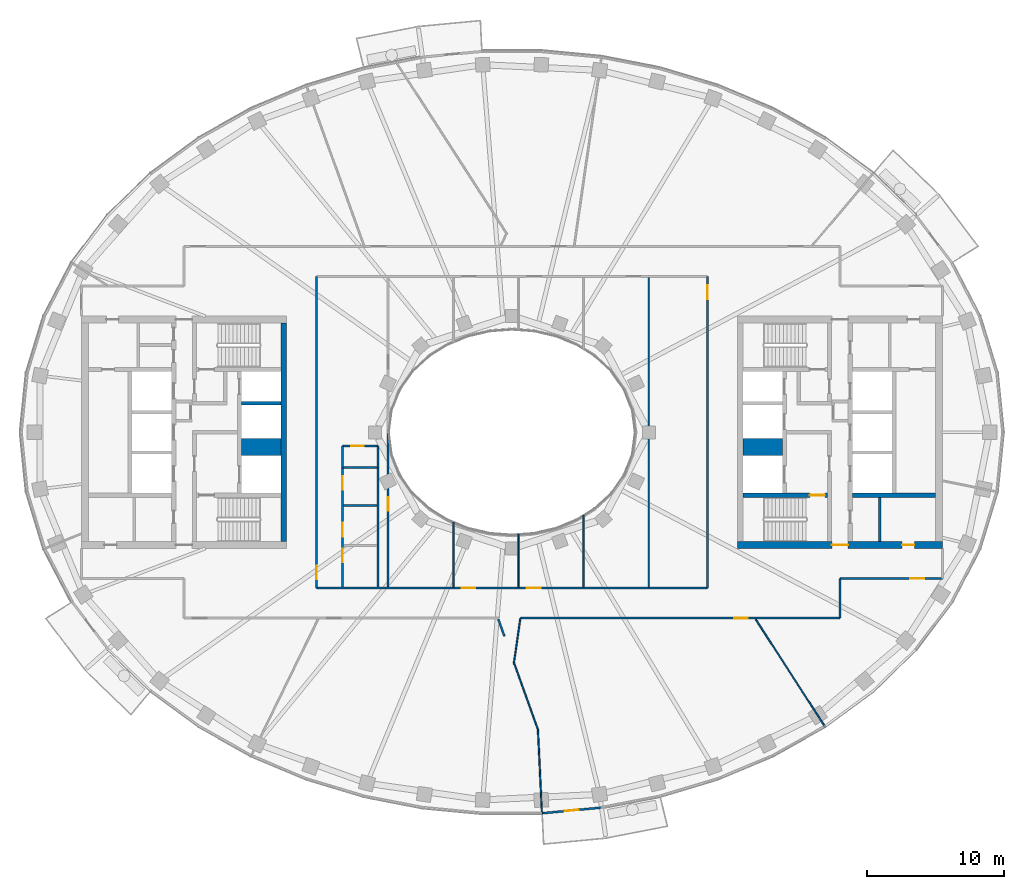
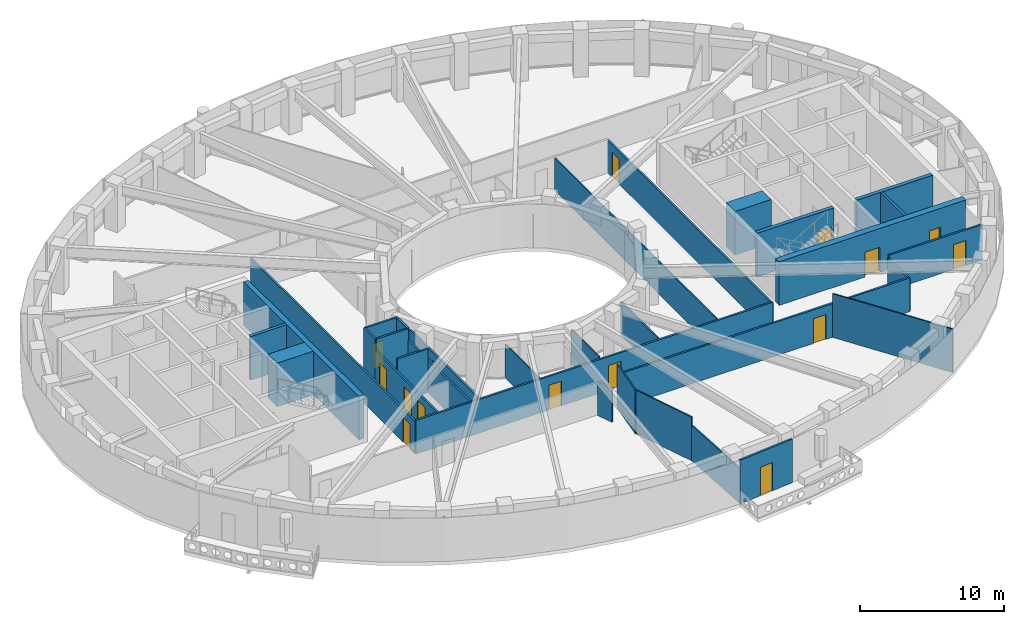
# One storey, part 4 of 16: 32 walls, 15 doors, 15 openings.
"""IFC4 building model written with IfcOpenShell, lengths in metres."""

from ifc_helpers import new_model, si_unit, direction, frame, frame_2d, origin, place, context, subcontext, project, spatial, rectangle, extrude, material, layer, layer_set, type_object, element, fill, save


model = new_model("IFC4")

# Units and contexts
model_context = context("Model", 3, precision=1e-05, world=origin(), true_north=direction((0.0, 1.0)))
body_context = subcontext(model_context, "Body", "Model", "MODEL_VIEW")
ifc_project = project(units=[si_unit("LENGTHUNIT", "METRE"), si_unit("AREAUNIT", "SQUARE_METRE"), si_unit("VOLUMEUNIT", "CUBIC_METRE"), si_unit("PLANEANGLEUNIT", "RADIAN"), si_unit("MASSUNIT", "GRAM", prefix="KILO")], contexts=[model_context])

# Site, building, storey
site_placement = place(None, origin())
site = spatial("IfcSite", under=ifc_project, at=site_placement, CompositionType="ELEMENT")
building_placement = place(site_placement, origin())
building = spatial("IfcBuilding", under=site, at=building_placement, Name="Noorbagh Ring Tower", CompositionType="ELEMENT")
storey_placement = place(building_placement, frame((0.0, 0.0, 281.5)))
storey = spatial("IfcBuildingStorey", under=building, at=storey_placement, Name="L60", CompositionType="ELEMENT", Elevation=281.5)

# Walls
ifc_material_1 = material(Name="Gypsum board on steel studs", Category="steel")
ifc_layer_1 = layer(ifc_material_1, 0.14990234375)
ifc_layer_set_1 = layer_set([ifc_layer_1], Name="Gypsum board on steel studs")
wall_type_1 = type_object("IfcWallType", Name="COMPARTMENT PARTITION 150 EI 60", PredefinedType="PARTITIONING", material=ifc_layer_set_1)
wall_1_placement = place(storey_placement, frame((-12.39990234375, -2.56005859375, 0.0), z_axis=(0.0, 0.0, 1.0), x_axis=(0.0, 1.0, 0.0)))
element("IfcWall", 1, at=wall_1_placement, inside=storey, type_object=wall_type_1, Name="L60/wall/P19", PredefinedType="PARTITIONING", context=body_context, shape_type="SweptSolid", body=[
    extrude(rectangle(XDim=1.56005859375, YDim=0.14990234375, at=frame_2d((0.780029296875, 0.0))), origin(), (0.0, 0.0, 1.0), 3.699951171875),
])
wall_2_placement = place(storey_placement, frame((-12.39990234375, -2.56005859375, 0.0), z_axis=(0.0, 0.0, 1.0), x_axis=(1.0, 0.0, 0.0)))
element("IfcWall", 2, at=wall_2_placement, inside=storey, type_object=wall_type_1, Name="L60/wall/P20", PredefinedType="PARTITIONING", context=body_context, shape_type="SweptSolid", body=[
    extrude(rectangle(XDim=2.599853515625, YDim=0.14990234375, at=frame_2d((1.2998046875, 0.0))), origin(), (0.0, 0.0, 1.0), 3.699951171875),
])

# Wall, opening, door
wall_3_placement = place(storey_placement, frame((-12.39990234375, -1.0, 0.0), z_axis=(0.0, 0.0, 1.0), x_axis=(1.0, 0.0, 0.0)))
wall_3 = element("IfcWall", 3, at=wall_3_placement, inside=storey, type_object=wall_type_1, Name="L60/wall/P21", PredefinedType="PARTITIONING", context=body_context, shape_type="SweptSolid", body=[
    extrude(rectangle(XDim=2.595947265625, YDim=0.14990234375, at=frame_2d((1.2978515625, 0.0))), origin(), (0.0, 0.0, 1.0), 3.699951171875),
])
opening_1_placement = place(wall_3_placement, frame((0.64990234375, 0.0, 0.0)))
opening_1 = element("IfcOpeningElement", 4, at=opening_1_placement, cuts=wall_3, Name="Opening D4", PredefinedType="OPENING", context=body_context, shape_type="SweptSolid", body=[
    extrude(rectangle(XDim=0.89990234375, YDim=2.10009765625, at=frame_2d((0.449951171875, 1.050048828125))), frame((0.0, 0.0849609375, 0.0), z_axis=(0.0, -1.0, 0.0), x_axis=(1.0, 0.0, 0.0)), (0.0, 0.0, 1.0), 0.169921875),
])
ifc_material_2 = material(Name="Timber, painted", Category="wood")
door_type_1 = type_object("IfcDoorType", Name="DOOR 900 X 2100 FD60", OperationType="SINGLE_SWING_LEFT", PredefinedType="DOOR", material=ifc_material_2)
door_1_placement = place(opening_1_placement, origin())
door_1 = element("IfcDoor", 5, at=door_1_placement, inside=storey, type_object=door_type_1, Name="L60-D05", OperationType="SINGLE_SWING_LEFT", OverallHeight=2.10009765625, OverallWidth=0.89990234375, PredefinedType="DOOR", context=body_context, shape_type="SweptSolid", body=[
    extrude(rectangle(XDim=0.89990234375, YDim=2.10009765625, at=frame_2d((0.449951171875, 1.050048828125))), frame((0.0, 0.02490234375, 0.0), z_axis=(0.0, -1.0, 0.0), x_axis=(1.0, 0.0, 0.0)), (0.0, 0.0, 1.0), 0.050048828125),
])
fill(opening_1, door_1)

# Walls
wall_4_placement = place(storey_placement, frame((-9.800048828125, -2.56005859375, 0.0), z_axis=(0.0, 0.0, 1.0), x_axis=(0.0, 1.0, 0.0)))
element("IfcWall", 6, at=wall_4_placement, inside=storey, type_object=wall_type_1, Name="L60/wall/P24", PredefinedType="PARTITIONING", context=body_context, shape_type="SweptSolid", body=[
    extrude(rectangle(XDim=1.55615234375, YDim=0.14990234375, at=frame_2d((0.778076171875, 0.0))), origin(), (0.0, 0.0, 1.0), 3.699951171875),
])
ifc_material_3 = material(Name="Gypsum board on steel studs", Category="steel")
ifc_layer_2 = layer(ifc_material_3, 0.199951171875)
ifc_layer_set_2 = layer_set([ifc_layer_2], Name="Gypsum board on steel studs")
wall_type_2 = type_object("IfcWallType", Name="CORE-PARTITION-200", PredefinedType="PARTITIONING", material=ifc_layer_set_2)
wall_5_placement = place(storey_placement, frame((26.89990234375, -8.0, 0.0), z_axis=(0.0, 0.0, 1.0), x_axis=(0.0, 1.0, 0.0)))
element("IfcWall", 7, at=wall_5_placement, inside=storey, type_object=wall_type_2, Name="Core partition E", PredefinedType="PARTITIONING", context=body_context, shape_type="SweptSolid", body=[
    extrude(rectangle(XDim=3.25, YDim=0.199951171875, at=frame_2d((1.625, 0.0))), origin(), (0.0, 0.0, 1.0), 3.699951171875),
])
ifc_material_4 = material(Name="Concrete C60/75", Category="concrete")
ifc_layer_3 = layer(ifc_material_4, 1.25)
ifc_layer_set_3 = layer_set([ifc_layer_3], Name="Concrete C60/75")
wall_type_3 = type_object("IfcWallType", Name="CORE-WALL-1250-C60-75-EI120", PredefinedType="SHEAR", material=ifc_layer_set_3)
for number, where, z_axis, x_axis, name in (
    (8, (-16.89990234375, -1.074951171875, 0.0), (0.0, 0.0, 1.0), (-1.0, 0.0, 0.0), "Core wall W"),
    (9, (16.89990234375, -1.074951171875, 0.0), (0.0, 0.0, 1.0), (1.0, 0.0, 0.0), "Core wall E"),
):
    element("IfcWall", number, at=place(storey_placement, frame(where, z_axis=z_axis, x_axis=x_axis)), inside=storey, type_object=wall_type_3, Name=name, PredefinedType="SHEAR", context=body_context, shape_type="SweptSolid", body=[
        extrude(rectangle(XDim=2.900146484375, YDim=1.25, at=frame_2d((1.4501953125, 0.0))), origin(), (0.0, 0.0, 1.0), 3.699951171875),
    ])
ifc_material_5 = material(Name="Concrete C60/75", Category="concrete")
ifc_layer_4 = layer(ifc_material_5, 0.25)
ifc_layer_set_4 = layer_set([ifc_layer_4], Name="Concrete C60/75")
wall_type_4 = type_object("IfcWallType", Name="CORE-WALL-250-C60-75-EI120", PredefinedType="SHEAR", material=ifc_layer_set_4)
wall_6_placement = place(storey_placement, frame((-16.89990234375, 2.125, 0.0), z_axis=(0.0, 0.0, 1.0), x_axis=(-1.0, 0.0, 0.0)))
element("IfcWall", 10, at=wall_6_placement, inside=storey, type_object=wall_type_4, Name="Core wall W", PredefinedType="SHEAR", context=body_context, shape_type="SweptSolid", body=[
    extrude(rectangle(XDim=2.900146484375, YDim=0.25, at=frame_2d((1.4501953125, 0.0))), origin(), (0.0, 0.0, 1.0), 3.699951171875),
])
ifc_material_6 = material(Name="Concrete C60/75", Category="concrete")
ifc_layer_5 = layer(ifc_material_6, 0.300048828125)
ifc_layer_set_5 = layer_set([ifc_layer_5], Name="Concrete C60/75")
wall_type_5 = type_object("IfcWallType", Name="CORE-WALL-300-C60-75-EI240", PredefinedType="SHEAR", material=ifc_layer_set_5)
wall_7_placement = place(storey_placement, frame((24.89990234375, -4.60009765625, 0.0), z_axis=(0.0, 0.0, 1.0), x_axis=(1.0, 0.0, 0.0)))
element("IfcWall", 11, at=wall_7_placement, inside=storey, type_object=wall_type_5, Name="Core wall E", PredefinedType="SHEAR", context=body_context, shape_type="SweptSolid", body=[
    extrude(rectangle(XDim=6.10009765625, YDim=0.300048828125, at=frame_2d((3.050048828125, 0.0))), origin(), (0.0, 0.0, 1.0), 3.699951171875),
])

# Wall, opening, door
wall_8_placement = place(storey_placement, frame((16.89990234375, -4.60009765625, 0.0), z_axis=(0.0, 0.0, 1.0), x_axis=(1.0, 0.0, 0.0)))
wall_8 = element("IfcWall", 12, at=wall_8_placement, inside=storey, type_object=wall_type_5, Name="Core wall E", PredefinedType="SHEAR", context=body_context, shape_type="SweptSolid", body=[
    extrude(rectangle(XDim=6.18017578125, YDim=0.300048828125, at=frame_2d((3.090087890625, 0.0))), origin(), (0.0, 0.0, 1.0), 3.699951171875),
])
opening_2_placement = place(wall_8_placement, frame((4.89990234375, 0.0, 0.0)))
opening_2 = element("IfcOpeningElement", 13, at=opening_2_placement, cuts=wall_8, Name="Opening L60-CE08", PredefinedType="OPENING", context=body_context, shape_type="SweptSolid", body=[
    extrude(rectangle(XDim=1.10009765625, YDim=2.10009765625, at=frame_2d((0.550048828125, 1.050048828125))), frame((0.0, 0.16015625, 0.0), z_axis=(0.0, -1.0, 0.0), x_axis=(1.0, 0.0, 0.0)), (0.0, 0.0, 1.0), 0.320068359375),
])
ifc_material_7 = material(Name="Steel door leaf", Category="steel")
door_type_2 = type_object("IfcDoorType", Name="CORE-DOOR-DSTAIR", OperationType="SINGLE_SWING_LEFT", PredefinedType="DOOR", material=ifc_material_7)
door_2_placement = place(opening_2_placement, origin())
door_2 = element("IfcDoor", 14, at=door_2_placement, inside=storey, type_object=door_type_2, Name="Stair door ST4 L60-CE08", OperationType="SINGLE_SWING_RIGHT", OverallHeight=2.10009765625, OverallWidth=1.10009765625, PredefinedType="DOOR", context=body_context, shape_type="SweptSolid", body=[
    extrude(rectangle(XDim=1.10009765625, YDim=2.10009765625, at=frame_2d((0.550048828125, 1.050048828125))), frame((0.0, 0.02490234375, 0.0), z_axis=(0.0, -1.0, 0.0), x_axis=(1.0, 0.0, 0.0)), (0.0, 0.0, 1.0), 0.050048828125),
])
fill(opening_2, door_2)

# Wall
ifc_material_8 = material(Name="Concrete C60/75", Category="concrete")
ifc_layer_6 = layer(ifc_material_8, 0.39990234375)
ifc_layer_set_6 = layer_set([ifc_layer_6], Name="Concrete C60/75")
wall_type_6 = type_object("IfcWallType", Name="CORE-WALL-400-C60-75-EI240", PredefinedType="SHEAR", material=ifc_layer_set_6)
wall_9_placement = place(storey_placement, frame((-16.699951171875, -8.0, 0.0), z_axis=(0.0, 0.0, 1.0), x_axis=(0.0, 1.0, 0.0)))
element("IfcWall", 15, at=wall_9_placement, inside=storey, type_object=wall_type_6, Name="Core wall W", PredefinedType="SHEAR", context=body_context, shape_type="SweptSolid", body=[
    extrude(rectangle(XDim=16.0, YDim=0.39990234375, at=frame_2d((8.0, 0.0))), origin(), (0.0, 0.0, 1.0), 3.699951171875),
])

# Wall, openings, doors
ifc_material_9 = material(Name="Concrete C60/75", Category="concrete")
ifc_layer_7 = layer(ifc_material_9, 0.5)
ifc_layer_set_7 = layer_set([ifc_layer_7], Name="Concrete C60/75")
wall_type_7 = type_object("IfcWallType", Name="CORE-WALL-500-C60-75-EI240", PredefinedType="SHEAR", material=ifc_layer_set_7)
wall_10_placement = place(storey_placement, frame((16.5, -8.25, 0.0), z_axis=(0.0, 0.0, 1.0), x_axis=(1.0, 0.0, 0.0)))
wall_10 = element("IfcWall", 16, at=wall_10_placement, inside=storey, type_object=wall_type_7, Name="Core wall E", PredefinedType="SHEAR", context=body_context, shape_type="SweptSolid", body=[
    extrude(rectangle(XDim=15.0, YDim=0.5, at=frame_2d((7.5, 0.0))), origin(), (0.0, 0.0, 1.0), 3.699951171875),
])
opening_3_placement = place(wall_10_placement, frame((6.89990234375, 0.0, 0.0)))
opening_3 = element("IfcOpeningElement", 17, at=opening_3_placement, cuts=wall_10, Name="Opening L60-CE12", PredefinedType="OPENING", context=body_context, shape_type="SweptSolid", body=[
    extrude(rectangle(XDim=1.199951171875, YDim=2.10009765625, at=frame_2d((0.60009765625, 1.050048828125))), frame((0.0, 0.260009765625, 0.0), z_axis=(0.0, -1.0, 0.0), x_axis=(1.0, 0.0, 0.0)), (0.0, 0.0, 1.0), 0.52001953125),
])
opening_4_placement = place(wall_10_placement, frame((12.050048828125, 0.0, 0.0)))
opening_4 = element("IfcOpeningElement", 18, at=opening_4_placement, cuts=wall_10, Name="Opening L60-CE16", PredefinedType="OPENING", context=body_context, shape_type="SweptSolid", body=[
    extrude(rectangle(XDim=0.89990234375, YDim=2.10009765625, at=frame_2d((0.449951171875, 1.050048828125))), frame((0.0, 0.260009765625, 0.0), z_axis=(0.0, -1.0, 0.0), x_axis=(1.0, 0.0, 0.0)), (0.0, 0.0, 1.0), 0.52001953125),
])
ifc_material_10 = material(Name="Steel door leaf", Category="steel")
door_type_3 = type_object("IfcDoorType", Name="CORE-DOOR-DROOM", OperationType="SINGLE_SWING_LEFT", PredefinedType="DOOR", material=ifc_material_10)
door_3_placement = place(opening_4_placement, origin())
door_3 = element("IfcDoor", 19, at=door_3_placement, inside=storey, type_object=door_type_3, Name="Core room door L60-CE16", OperationType="SINGLE_SWING_RIGHT", OverallHeight=2.10009765625, OverallWidth=0.89990234375, PredefinedType="DOOR", context=body_context, shape_type="SweptSolid", body=[
    extrude(rectangle(XDim=0.89990234375, YDim=2.10009765625, at=frame_2d((0.449951171875, 1.050048828125))), frame((0.0, 0.02490234375, 0.0), z_axis=(0.0, -1.0, 0.0), x_axis=(1.0, 0.0, 0.0)), (0.0, 0.0, 1.0), 0.050048828125),
])
fill(opening_4, door_3)
ifc_material_11 = material(Name="Steel door leaf", Category="steel")
door_type_4 = type_object("IfcDoorType", Name="CORE-DOOR-PORT", OperationType="DOUBLE_DOOR_DOUBLE_SWING", PredefinedType="DOOR", material=ifc_material_11)
door_4_placement = place(opening_3_placement, origin())
door_4 = element("IfcDoor", 20, at=door_4_placement, inside=storey, type_object=door_type_4, Name="Core entrance door L60-CE12", OperationType="DOUBLE_DOOR_DOUBLE_SWING", OverallHeight=2.10009765625, OverallWidth=1.199951171875, PredefinedType="DOOR", context=body_context, shape_type="SweptSolid", body=[
    extrude(rectangle(XDim=1.199951171875, YDim=2.10009765625, at=frame_2d((0.60009765625, 1.050048828125))), frame((0.0, 0.02490234375, 0.0), z_axis=(0.0, -1.0, 0.0), x_axis=(1.0, 0.0, 0.0)), (0.0, 0.0, 1.0), 0.050048828125),
])
fill(opening_3, door_4)

# Wall, opening, door
ifc_material_12 = material(Name="Gypsum board on steel studs", Category="steel")
ifc_layer_8 = layer(ifc_material_12, 0.14990234375)
ifc_layer_set_8 = layer_set([ifc_layer_8], Name="Gypsum board on steel studs")
wall_type_8 = type_object("IfcWallType", Name="CORRIDOR PARTITION 150 EI 30", PredefinedType="PARTITIONING", material=ifc_layer_set_8)
wall_11_placement = place(storey_placement, frame((-14.300048828125, -11.39990234375, 0.0), z_axis=(0.0, 0.0, 1.0), x_axis=(0.0, 1.0, 0.0)))
wall_11 = element("IfcWall", 21, at=wall_11_placement, inside=storey, type_object=wall_type_8, Name="L60/wall/P13", PredefinedType="PARTITIONING", context=body_context, shape_type="SweptSolid", body=[
    extrude(rectangle(XDim=22.7998046875, YDim=0.14990234375, at=frame_2d((11.39990234375, 0.0))), origin(), (0.0, 0.0, 1.0), 2.75),
])
opening_5_placement = place(wall_11_placement, frame((0.64990234375, 0.0, 0.0)))
opening_5 = element("IfcOpeningElement", 22, at=opening_5_placement, cuts=wall_11, Name="Opening D1", PredefinedType="OPENING", context=body_context, shape_type="SweptSolid", body=[
    extrude(rectangle(XDim=1.0, YDim=2.10009765625, at=frame_2d((0.5, 1.050048828125))), frame((0.0, 0.0849609375, 0.0), z_axis=(0.0, -1.0, 0.0), x_axis=(1.0, 0.0, 0.0)), (0.0, 0.0, 1.0), 0.169921875),
])
ifc_material_13 = material(Name="Timber, painted", Category="wood")
door_type_5 = type_object("IfcDoorType", Name="DOOR 1000 X 2100 FD30", OperationType="SINGLE_SWING_LEFT", PredefinedType="DOOR", material=ifc_material_13)
door_5_placement = place(opening_5_placement, origin())
door_5 = element("IfcDoor", 23, at=door_5_placement, inside=storey, type_object=door_type_5, Name="L60-D01", OperationType="SINGLE_SWING_LEFT", OverallHeight=2.10009765625, OverallWidth=1.0, PredefinedType="DOOR", context=body_context, shape_type="SweptSolid", body=[
    extrude(rectangle(XDim=1.0, YDim=2.10009765625, at=frame_2d((0.5, 1.050048828125))), frame((0.0, 0.02490234375, 0.0), z_axis=(0.0, -1.0, 0.0), x_axis=(1.0, 0.0, 0.0)), (0.0, 0.0, 1.0), 0.050048828125),
])
fill(opening_5, door_5)

# Wall, openings, doors
wall_12_placement = place(storey_placement, frame((-14.300048828125, -11.39990234375, 0.0), z_axis=(0.0, 0.0, 1.0), x_axis=(1.0, 0.0, 0.0)))
wall_12 = element("IfcWall", 24, at=wall_12_placement, inside=storey, type_object=wall_type_8, Name="L60/wall/P14", PredefinedType="PARTITIONING", context=body_context, shape_type="SweptSolid", body=[
    extrude(rectangle(XDim=28.60009765625, YDim=0.14990234375, at=frame_2d((14.300048828125, 0.0))), origin(), (0.0, 0.0, 1.0), 2.85009765625),
])
opening_6_placement = place(wall_12_placement, frame((10.626953125, 0.0, 0.0)))
opening_6 = element("IfcOpeningElement", 25, at=opening_6_placement, cuts=wall_12, Name="Opening D1", PredefinedType="OPENING", context=body_context, shape_type="SweptSolid", body=[
    extrude(rectangle(XDim=1.0, YDim=2.10009765625, at=frame_2d((0.5, 1.050048828125))), frame((0.0, 0.0849609375, 0.0), z_axis=(0.0, -1.0, 0.0), x_axis=(1.0, 0.0, 0.0)), (0.0, 0.0, 1.0), 0.169921875),
])
opening_7_placement = place(wall_12_placement, frame((15.39306640625, 0.0, 0.0)))
opening_7 = element("IfcOpeningElement", 26, at=opening_7_placement, cuts=wall_12, Name="Opening D1", PredefinedType="OPENING", context=body_context, shape_type="SweptSolid", body=[
    extrude(rectangle(XDim=1.0, YDim=2.10009765625, at=frame_2d((0.5, 1.050048828125))), frame((0.0, 0.0849609375, 0.0), z_axis=(0.0, -1.0, 0.0), x_axis=(1.0, 0.0, 0.0)), (0.0, 0.0, 1.0), 0.169921875),
])
door_6_placement = place(opening_6_placement, origin())
door_6 = element("IfcDoor", 27, at=door_6_placement, inside=storey, type_object=door_type_5, Name="L60-D18", OperationType="SINGLE_SWING_RIGHT", OverallHeight=2.10009765625, OverallWidth=1.0, PredefinedType="DOOR", context=body_context, shape_type="SweptSolid", body=[
    extrude(rectangle(XDim=1.0, YDim=2.10009765625, at=frame_2d((0.5, 1.050048828125))), frame((0.0, 0.02490234375, 0.0), z_axis=(0.0, -1.0, 0.0), x_axis=(1.0, 0.0, 0.0)), (0.0, 0.0, 1.0), 0.050048828125),
])
fill(opening_6, door_6)
door_7_placement = place(opening_7_placement, origin())
door_7 = element("IfcDoor", 28, at=door_7_placement, inside=storey, type_object=door_type_5, Name="L60-D20", OperationType="SINGLE_SWING_RIGHT", OverallHeight=2.10009765625, OverallWidth=1.0, PredefinedType="DOOR", context=body_context, shape_type="SweptSolid", body=[
    extrude(rectangle(XDim=1.0, YDim=2.10009765625, at=frame_2d((0.5, 1.050048828125))), frame((0.0, 0.02490234375, 0.0), z_axis=(0.0, -1.0, 0.0), x_axis=(1.0, 0.0, 0.0)), (0.0, 0.0, 1.0), 0.050048828125),
])
fill(opening_7, door_7)

wall_13_placement = place(storey_placement, frame((-12.39990234375, -11.324951171875, 0.0), z_axis=(0.0, 0.0, 1.0), x_axis=(0.0, 1.0, 0.0)))
wall_13 = element("IfcWall", 29, at=wall_13_placement, inside=storey, type_object=wall_type_8, Name="L60/wall/P16", PredefinedType="PARTITIONING", context=body_context, shape_type="SweptSolid", body=[
    extrude(rectangle(XDim=8.764892578125, YDim=0.14990234375, at=frame_2d((4.38232421875, 0.0))), origin(), (0.0, 0.0, 1.0), 2.75),
])
opening_8_placement = place(wall_13_placement, frame((1.824951171875, 0.0, 0.0)))
opening_8 = element("IfcOpeningElement", 30, at=opening_8_placement, cuts=wall_13, Name="Opening D3", PredefinedType="OPENING", context=body_context, shape_type="SweptSolid", body=[
    extrude(rectangle(XDim=1.0, YDim=2.10009765625, at=frame_2d((0.5, 1.050048828125))), frame((0.0, 0.0849609375, 0.0), z_axis=(0.0, -1.0, 0.0), x_axis=(1.0, 0.0, 0.0)), (0.0, 0.0, 1.0), 0.169921875),
])
opening_9_placement = place(wall_13_placement, frame((3.695068359375, 0.0, 0.0)))
opening_9 = element("IfcOpeningElement", 31, at=opening_9_placement, cuts=wall_13, Name="Opening D3", PredefinedType="OPENING", context=body_context, shape_type="SweptSolid", body=[
    extrude(rectangle(XDim=1.0, YDim=2.10009765625, at=frame_2d((0.5, 1.050048828125))), frame((0.0, 0.0849609375, 0.0), z_axis=(0.0, -1.0, 0.0), x_axis=(1.0, 0.0, 0.0)), (0.0, 0.0, 1.0), 0.169921875),
])
opening_10_placement = place(wall_13_placement, frame((7.10693359375, 0.0, 0.0)))
opening_10 = element("IfcOpeningElement", 32, at=opening_10_placement, cuts=wall_13, Name="Opening D3", PredefinedType="OPENING", context=body_context, shape_type="SweptSolid", body=[
    extrude(rectangle(XDim=1.0, YDim=2.10009765625, at=frame_2d((0.5, 1.050048828125))), frame((0.0, 0.0849609375, 0.0), z_axis=(0.0, -1.0, 0.0), x_axis=(1.0, 0.0, 0.0)), (0.0, 0.0, 1.0), 0.169921875),
])
ifc_material_14 = material(Name="Timber, painted", Category="wood")
door_type_6 = type_object("IfcDoorType", Name="DOOR 1000 X 2100 WC", OperationType="SINGLE_SWING_LEFT", PredefinedType="DOOR", material=ifc_material_14)
door_8_placement = place(opening_8_placement, origin())
door_8 = element("IfcDoor", 33, at=door_8_placement, inside=storey, type_object=door_type_6, Name="L60-D02", OperationType="SINGLE_SWING_RIGHT", OverallHeight=2.10009765625, OverallWidth=1.0, PredefinedType="DOOR", context=body_context, shape_type="SweptSolid", body=[
    extrude(rectangle(XDim=1.0, YDim=2.10009765625, at=frame_2d((0.5, 1.050048828125))), frame((0.0, 0.02490234375, 0.0), z_axis=(0.0, -1.0, 0.0), x_axis=(1.0, 0.0, 0.0)), (0.0, 0.0, 1.0), 0.050048828125),
])
fill(opening_8, door_8)
door_9_placement = place(opening_9_placement, origin())
door_9 = element("IfcDoor", 34, at=door_9_placement, inside=storey, type_object=door_type_6, Name="L60-D03", OperationType="SINGLE_SWING_LEFT", OverallHeight=2.10009765625, OverallWidth=1.0, PredefinedType="DOOR", context=body_context, shape_type="SweptSolid", body=[
    extrude(rectangle(XDim=1.0, YDim=2.10009765625, at=frame_2d((0.5, 1.050048828125))), frame((0.0, 0.02490234375, 0.0), z_axis=(0.0, -1.0, 0.0), x_axis=(1.0, 0.0, 0.0)), (0.0, 0.0, 1.0), 0.050048828125),
])
fill(opening_9, door_9)
door_10_placement = place(opening_10_placement, origin())
door_10 = element("IfcDoor", 35, at=door_10_placement, inside=storey, type_object=door_type_6, Name="L60-D04", OperationType="SINGLE_SWING_RIGHT", OverallHeight=2.10009765625, OverallWidth=1.0, PredefinedType="DOOR", context=body_context, shape_type="SweptSolid", body=[
    extrude(rectangle(XDim=1.0, YDim=2.10009765625, at=frame_2d((0.5, 1.050048828125))), frame((0.0, 0.02490234375, 0.0), z_axis=(0.0, -1.0, 0.0), x_axis=(1.0, 0.0, 0.0)), (0.0, 0.0, 1.0), 0.050048828125),
])
fill(opening_10, door_10)

# Walls
wall_14_placement = place(storey_placement, frame((-12.324951171875, -5.367919921875, 0.0), z_axis=(0.0, 0.0, 1.0), x_axis=(1.0, 0.0, 0.0)))
element("IfcWall", 36, at=wall_14_placement, inside=storey, type_object=wall_type_8, Name="L60/wall/P18", PredefinedType="PARTITIONING", context=body_context, shape_type="SweptSolid", body=[
    extrude(rectangle(XDim=2.449951171875, YDim=0.14990234375, at=frame_2d((1.22509765625, 0.0))), origin(), (0.0, 0.0, 1.0), 3.699951171875),
])
wall_15_placement = place(storey_placement, frame((-9.800048828125, -11.324951171875, 0.0), z_axis=(0.0, 0.0, 1.0), x_axis=(0.0, 1.0, 0.0)))
element("IfcWall", 37, at=wall_15_placement, inside=storey, type_object=wall_type_8, Name="L60/wall/P23", PredefinedType="PARTITIONING", context=body_context, shape_type="SweptSolid", body=[
    extrude(rectangle(XDim=8.764892578125, YDim=0.14990234375, at=frame_2d((4.38232421875, 0.0))), origin(), (0.0, 0.0, 1.0), 2.75),
])

# Wall, opening, door
wall_16_placement = place(storey_placement, frame((-9.056884765625, -11.324951171875, 0.0), z_axis=(0.0, 0.0, 1.0), x_axis=(0.0, 1.0, 0.0)))
wall_16 = element("IfcWall", 38, at=wall_16_placement, inside=storey, type_object=wall_type_8, Name="L60/wall/P25", PredefinedType="PARTITIONING", context=body_context, shape_type="SweptSolid", body=[
    extrude(rectangle(XDim=11.280029296875, YDim=0.14990234375, at=frame_2d((5.64013671875, 0.0))), origin(), (0.0, 0.0, 1.0), 2.75),
])
opening_11_placement = place(wall_16_placement, frame((5.574951171875, 0.0, 0.0)))
opening_11 = element("IfcOpeningElement", 39, at=opening_11_placement, cuts=wall_16, Name="Opening D1", PredefinedType="OPENING", context=body_context, shape_type="SweptSolid", body=[
    extrude(rectangle(XDim=1.0, YDim=2.10009765625, at=frame_2d((0.5, 1.050048828125))), frame((0.0, 0.0849609375, 0.0), z_axis=(0.0, -1.0, 0.0), x_axis=(1.0, 0.0, 0.0)), (0.0, 0.0, 1.0), 0.169921875),
])
door_11_placement = place(opening_11_placement, origin())
door_11 = element("IfcDoor", 40, at=door_11_placement, inside=storey, type_object=door_type_5, Name="L60-D16", OperationType="SINGLE_SWING_RIGHT", OverallHeight=2.10009765625, OverallWidth=1.0, PredefinedType="DOOR", context=body_context, shape_type="SweptSolid", body=[
    extrude(rectangle(XDim=1.0, YDim=2.10009765625, at=frame_2d((0.5, 1.050048828125))), frame((0.0, 0.02490234375, 0.0), z_axis=(0.0, -1.0, 0.0), x_axis=(1.0, 0.0, 0.0)), (0.0, 0.0, 1.0), 0.050048828125),
])
fill(opening_11, door_11)

# Wall
wall_17_placement = place(storey_placement, frame((-1.001953125, -13.678955078125, 0.0), z_axis=(0.0, 0.0, 1.0), x_axis=(0.338955963777, -0.94080223991, 0.0)))
element("IfcWall", 41, at=wall_17_placement, inside=storey, type_object=wall_type_8, Name="L60/wall/P30", PredefinedType="PARTITIONING", context=body_context, shape_type="SweptSolid", body=[
    extrude(rectangle(XDim=1.31591796875, YDim=0.14990234375, at=frame_2d((0.657958984375, 0.0))), origin(), (0.0, 0.0, 1.0), 2.85009765625),
])

# Wall, opening, door
wall_18_placement = place(storey_placement, frame((0.613037109375, -13.60009765625, 0.0), z_axis=(0.0, 0.0, 1.0), x_axis=(1.0, 0.0, 0.0)))
wall_18 = element("IfcWall", 42, at=wall_18_placement, inside=storey, type_object=wall_type_8, Name="L60/wall/P36", PredefinedType="PARTITIONING", context=body_context, shape_type="SweptSolid", body=[
    extrude(rectangle(XDim=23.386962890625, YDim=0.14990234375, at=frame_2d((11.693359375, 0.0))), origin(), (0.0, 0.0, 1.0), 2.85009765625),
])
opening_12_placement = place(wall_18_placement, frame((15.64990234375, 0.0, 0.0)))
opening_12 = element("IfcOpeningElement", 43, at=opening_12_placement, cuts=wall_18, Name="Opening D1", PredefinedType="OPENING", context=body_context, shape_type="SweptSolid", body=[
    extrude(rectangle(XDim=1.0, YDim=2.10009765625, at=frame_2d((0.5, 1.050048828125))), frame((0.0, 0.0849609375, 0.0), z_axis=(0.0, -1.0, 0.0), x_axis=(1.0, 0.0, 0.0)), (0.0, 0.0, 1.0), 0.169921875),
])
door_12_placement = place(opening_12_placement, origin())
door_12 = element("IfcDoor", 44, at=door_12_placement, inside=storey, type_object=door_type_5, Name="L60-D12", OperationType="SINGLE_SWING_RIGHT", OverallHeight=2.10009765625, OverallWidth=1.0, PredefinedType="DOOR", context=body_context, shape_type="SweptSolid", body=[
    extrude(rectangle(XDim=1.0, YDim=2.10009765625, at=frame_2d((0.5, 1.050048828125))), frame((0.0, 0.02490234375, 0.0), z_axis=(0.0, -1.0, 0.0), x_axis=(1.0, 0.0, 0.0)), (0.0, 0.0, 1.0), 0.050048828125),
])
fill(opening_12, door_12)

wall_19_placement = place(storey_placement, frame((14.300048828125, -11.39990234375, 0.0), z_axis=(0.0, 0.0, 1.0), x_axis=(0.0, 1.0, 0.0)))
wall_19 = element("IfcWall", 45, at=wall_19_placement, inside=storey, type_object=wall_type_8, Name="L60/wall/P43", PredefinedType="PARTITIONING", context=body_context, shape_type="SweptSolid", body=[
    extrude(rectangle(XDim=22.7998046875, YDim=0.14990234375, at=frame_2d((11.39990234375, 0.0))), origin(), (0.0, 0.0, 1.0), 2.75),
])
opening_13_placement = place(wall_19_placement, frame((21.14990234375, 0.0, 0.0)))
opening_13 = element("IfcOpeningElement", 46, at=opening_13_placement, cuts=wall_19, Name="Opening D1", PredefinedType="OPENING", context=body_context, shape_type="SweptSolid", body=[
    extrude(rectangle(XDim=1.0, YDim=2.10009765625, at=frame_2d((0.5, 1.050048828125))), frame((0.0, 0.0849609375, 0.0), z_axis=(0.0, -1.0, 0.0), x_axis=(1.0, 0.0, 0.0)), (0.0, 0.0, 1.0), 0.169921875),
])
door_13_placement = place(opening_13_placement, origin())
door_13 = element("IfcDoor", 47, at=door_13_placement, inside=storey, type_object=door_type_5, Name="L60-D23", OperationType="SINGLE_SWING_LEFT", OverallHeight=2.10009765625, OverallWidth=1.0, PredefinedType="DOOR", context=body_context, shape_type="SweptSolid", body=[
    extrude(rectangle(XDim=1.0, YDim=2.10009765625, at=frame_2d((0.5, 1.050048828125))), frame((0.0, 0.02490234375, 0.0), z_axis=(0.0, -1.0, 0.0), x_axis=(1.0, 0.0, 0.0)), (0.0, 0.0, 1.0), 0.050048828125),
])
fill(opening_13, door_13)

# Wall
wall_20_placement = place(storey_placement, frame((24.0, -13.60009765625, 0.0), z_axis=(0.0, 0.0, 1.0), x_axis=(0.0, 1.0, 0.0)))
element("IfcWall", 48, at=wall_20_placement, inside=storey, type_object=wall_type_8, Name="L60/wall/P46", PredefinedType="PARTITIONING", context=body_context, shape_type="SweptSolid", body=[
    extrude(rectangle(XDim=2.900146484375, YDim=0.14990234375, at=frame_2d((1.4501953125, 0.0))), origin(), (0.0, 0.0, 1.0), 2.75),
])

# Wall, opening, door
wall_21_placement = place(storey_placement, frame((24.0, -10.699951171875, 0.0), z_axis=(0.0, 0.0, 1.0), x_axis=(1.0, 0.0, 0.0)))
wall_21 = element("IfcWall", 49, at=wall_21_placement, inside=storey, type_object=wall_type_8, Name="L60/wall/P47", PredefinedType="PARTITIONING", context=body_context, shape_type="SweptSolid", body=[
    extrude(rectangle(XDim=7.5, YDim=0.14990234375, at=frame_2d((3.75, 0.0))), origin(), (0.0, 0.0, 1.0), 3.0),
])
opening_14_placement = place(wall_21_placement, frame((5.14990234375, 0.0, 0.0)))
opening_14 = element("IfcOpeningElement", 50, at=opening_14_placement, cuts=wall_21, Name="Opening D1", PredefinedType="OPENING", context=body_context, shape_type="SweptSolid", body=[
    extrude(rectangle(XDim=1.0, YDim=2.10009765625, at=frame_2d((0.5, 1.050048828125))), frame((0.0, 0.0849609375, 0.0), z_axis=(0.0, -1.0, 0.0), x_axis=(1.0, 0.0, 0.0)), (0.0, 0.0, 1.0), 0.169921875),
])
door_14_placement = place(opening_14_placement, origin())
door_14 = element("IfcDoor", 51, at=door_14_placement, inside=storey, type_object=door_type_5, Name="L60-D14", OperationType="SINGLE_SWING_RIGHT", OverallHeight=2.10009765625, OverallWidth=1.0, PredefinedType="DOOR", context=body_context, shape_type="SweptSolid", body=[
    extrude(rectangle(XDim=1.0, YDim=2.10009765625, at=frame_2d((0.5, 1.050048828125))), frame((0.0, 0.02490234375, 0.0), z_axis=(0.0, -1.0, 0.0), x_axis=(1.0, 0.0, 0.0)), (0.0, 0.0, 1.0), 0.050048828125),
])
fill(opening_14, door_14)

ifc_material_15 = material(Name="Insulated aluminium clad panel", Category="aluminium")
ifc_layer_9 = layer(ifc_material_15, 0.14990234375)
ifc_layer_set_9 = layer_set([ifc_layer_9], Name="Insulated aluminium clad panel")
wall_type_9 = type_object("IfcWallType", Name="ENV-WALL-DOOR", PredefinedType="STANDARD", material=ifc_layer_set_9)
wall_22_placement = place(storey_placement, frame((2.166259765625, -27.875244140625, 0.0), z_axis=(0.0, 0.0, 1.0), x_axis=(0.995473879823, 0.095035543824, 0.0)))
wall_22 = element("IfcWall", 52, at=wall_22_placement, inside=storey, type_object=wall_type_9, Name="Balcony door wall chord 36", PredefinedType="STANDARD", context=body_context, shape_type="SweptSolid", body=[
    extrude(rectangle(XDim=4.42626953125, YDim=0.14990234375, at=frame_2d((2.213134765625, 0.0))), origin(), (0.0, 0.0, 1.0), 3.699951171875),
])
opening_15_placement = place(wall_22_placement, frame((1.713134765625, 0.0, 0.0)))
opening_15 = element("IfcOpeningElement", 53, at=opening_15_placement, cuts=wall_22, Name="Opening D-BL", PredefinedType="OPENING", context=body_context, shape_type="SweptSolid", body=[
    extrude(rectangle(XDim=1.0, YDim=2.39990234375, at=frame_2d((0.5, 1.199951171875))), frame((0.0, 0.0849609375, 0.0), z_axis=(0.0, -1.0, 0.0), x_axis=(1.0, 0.0, 0.0)), (0.0, 0.0, 1.0), 0.169921875),
])
ifc_material_16 = material(Name="Aluminium and glass", Category="aluminium")
door_type_7 = type_object("IfcDoorType", Name="ENV-DOOR-BALCONY", OperationType="SINGLE_SWING_LEFT", PredefinedType="DOOR", material=ifc_material_16)
door_15_placement = place(opening_15_placement, origin())
door_15 = element("IfcDoor", 54, at=door_15_placement, inside=storey, type_object=door_type_7, Name="Balcony door chord 36", OperationType="SINGLE_SWING_LEFT", OverallHeight=2.39990234375, OverallWidth=1.0, PredefinedType="DOOR", context=body_context, shape_type="SweptSolid", body=[
    extrude(rectangle(XDim=1.0, YDim=2.39990234375, at=frame_2d((0.5, 1.199951171875))), frame((0.0, 0.02490234375, 0.0), z_axis=(0.0, -1.0, 0.0), x_axis=(1.0, 0.0, 0.0)), (0.0, 0.0, 1.0), 0.050048828125),
])
fill(opening_15, door_15)

# Walls
ifc_material_17 = material(Name="Gypsum board on steel studs", Category="steel")
ifc_layer_10 = layer(ifc_material_17, 0.10009765625)
ifc_layer_set_10 = layer_set([ifc_layer_10], Name="Gypsum board on steel studs")
wall_type_10 = type_object("IfcWallType", Name="PARTITION 100 GYPSUM", PredefinedType="PARTITIONING", material=ifc_layer_set_10)
wall_23_placement = place(storey_placement, frame((-4.2900390625, -11.324951171875, 0.0), z_axis=(0.0, 0.0, 1.0), x_axis=(0.0, 1.0, 0.0)))
element("IfcWall", 55, at=wall_23_placement, inside=storey, type_object=wall_type_10, Name="L60/wall/P28", PredefinedType="PARTITIONING", context=body_context, shape_type="SweptSolid", body=[
    extrude(rectangle(XDim=4.7568359375, YDim=0.10009765625, at=frame_2d((2.37841796875, 0.0))), origin(), (0.0, 0.0, 1.0), 2.85009765625),
])
wall_24_placement = place(storey_placement, frame((0.126953125, -16.965087890625, 0.0), z_axis=(0.0, 0.0, 1.0), x_axis=(0.143132116572, 0.989703590579, 0.0)))
element("IfcWall", 56, at=wall_24_placement, inside=storey, type_object=wall_type_10, Name="L60/wall/P32", PredefinedType="PARTITIONING", context=body_context, shape_type="SweptSolid", body=[
    extrude(rectangle(XDim=3.39599609375, YDim=0.10009765625, at=frame_2d((1.697998046875, 0.0))), origin(), (0.0, 0.0, 1.0), 3.699951171875),
])
wall_25_placement = place(storey_placement, frame((0.177978515625, -16.9599609375, 0.0), z_axis=(0.0, 0.0, 1.0), x_axis=(0.338307223105, -0.941035718129, 0.0)))
element("IfcWall", 57, at=wall_25_placement, inside=storey, type_object=wall_type_10, Name="L60/wall/P33", PredefinedType="PARTITIONING", context=body_context, shape_type="SweptSolid", body=[
    extrude(rectangle(XDim=5.075439453125, YDim=0.10009765625, at=frame_2d((2.53759765625, 0.0))), origin(), (0.0, 0.0, 1.0), 3.699951171875),
])
wall_26_placement = place(storey_placement, frame((0.47705078125, -11.324951171875, 0.0), z_axis=(0.0, 0.0, 1.0), x_axis=(0.0, 1.0, 0.0)))
element("IfcWall", 58, at=wall_26_placement, inside=storey, type_object=wall_type_10, Name="L60/wall/P34", PredefinedType="PARTITIONING", context=body_context, shape_type="SweptSolid", body=[
    extrude(rectangle(XDim=3.85693359375, YDim=0.10009765625, at=frame_2d((1.928466796875, 0.0))), origin(), (0.0, 0.0, 1.0), 3.0),
])
wall_27_placement = place(storey_placement, frame((1.89794921875, -21.75, 0.0), z_axis=(0.0, 0.0, 1.0), x_axis=(0.047440765919, -0.998874052986, 0.0)))
element("IfcWall", 59, at=wall_27_placement, inside=storey, type_object=wall_type_10, Name="L60/wall/P37", PredefinedType="PARTITIONING", context=body_context, shape_type="SweptSolid", body=[
    extrude(rectangle(XDim=6.15478515625, YDim=0.10009765625, at=frame_2d((3.077392578125, 0.0))), origin(), (0.0, 0.0, 1.0), 3.0),
])
wall_28_placement = place(storey_placement, frame((5.242919921875, -11.324951171875, 0.0), z_axis=(0.0, 0.0, 1.0), x_axis=(0.0, 1.0, 0.0)))
element("IfcWall", 60, at=wall_28_placement, inside=storey, type_object=wall_type_10, Name="L60/wall/P40", PredefinedType="PARTITIONING", context=body_context, shape_type="SweptSolid", body=[
    extrude(rectangle(XDim=5.265869140625, YDim=0.10009765625, at=frame_2d((2.6328125, 0.0))), origin(), (0.0, 0.0, 1.0), 2.85009765625),
])
wall_29_placement = place(storey_placement, frame((10.010009765625, -11.324951171875, 0.0), z_axis=(0.0, 0.0, 1.0), x_axis=(0.0, 1.0, 0.0)))
element("IfcWall", 61, at=wall_29_placement, inside=storey, type_object=wall_type_10, Name="L60/wall/P42", PredefinedType="PARTITIONING", context=body_context, shape_type="SweptSolid", body=[
    extrude(rectangle(XDim=22.64990234375, YDim=0.10009765625, at=frame_2d((11.324951171875, 0.0))), origin(), (0.0, 0.0, 1.0), 2.75),
])
wall_30_placement = place(storey_placement, frame((17.827880859375, -13.675048828125, 0.0), z_axis=(0.0, 0.0, 1.0), x_axis=(0.542255150075, -0.840213872902, 0.0)))
element("IfcWall", 62, at=wall_30_placement, inside=storey, type_object=wall_type_10, Name="L60/wall/P44", PredefinedType="PARTITIONING", context=body_context, shape_type="SweptSolid", body=[
    extrude(rectangle(XDim=9.363037109375, YDim=0.10009765625, at=frame_2d((4.681640625, 0.0))), origin(), (0.0, 0.0, 1.0), 3.699951171875),
])

save(model, "model.ifc")
